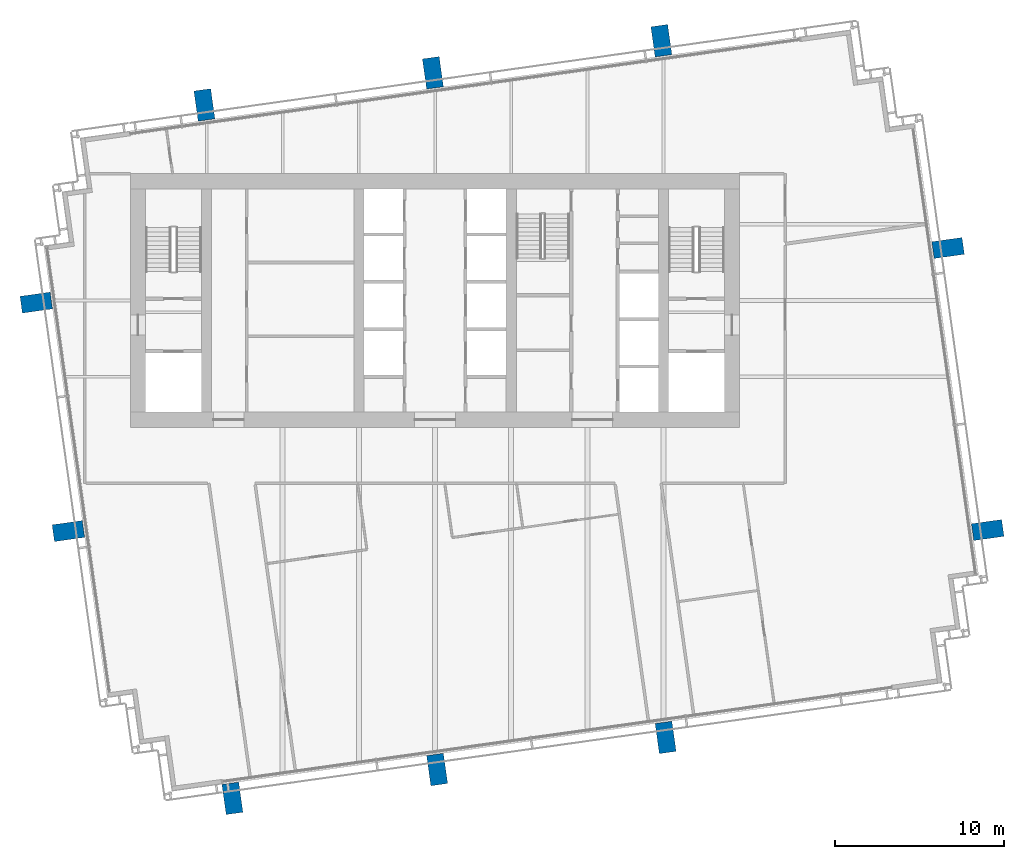
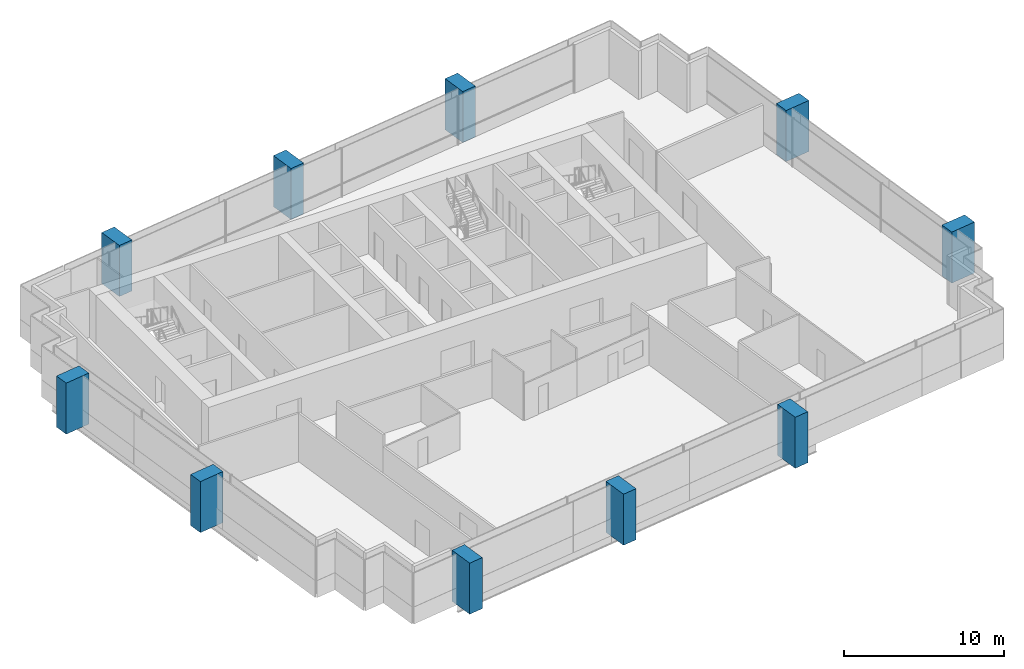
# One storey, part 1 of 17: 10 columns.
"""IFC4 building model written with IfcOpenShell, lengths in metres."""

from ifc_helpers import new_model, si_unit, direction, frame, origin, origin_2d, place, context, subcontext, project, spatial, rectangle, extrude, material, material_profile, profile_set, type_object, element, save


model = new_model("IFC4")

# Units and contexts
model_context = context("Model", 3, precision=1e-05, world=origin(), true_north=direction((0.0, 1.0)))
body_context = subcontext(model_context, "Body", "Model", "MODEL_VIEW")
ifc_project = project(units=[si_unit("LENGTHUNIT", "METRE"), si_unit("AREAUNIT", "SQUARE_METRE"), si_unit("VOLUMEUNIT", "CUBIC_METRE"), si_unit("PLANEANGLEUNIT", "RADIAN"), si_unit("MASSUNIT", "GRAM", prefix="KILO")], contexts=[model_context])

# Site, building, storey
site_placement = place(None, origin())
site = spatial("IfcSite", under=ifc_project, at=site_placement, CompositionType="ELEMENT")
building_placement = place(site_placement, origin())
building = spatial("IfcBuilding", under=site, at=building_placement, Name="Rattan Terrace Tower", CompositionType="ELEMENT")
storey_placement = place(building_placement, frame((0.0, 0.0, 221.300048828125)))
storey = spatial("IfcBuildingStorey", under=building, at=storey_placement, Name="L50", CompositionType="ELEMENT", Elevation=221.300048828125)

# Columns
ifc_material = material(Name="Concrete C40/50", Category="concrete")
ifc_material_profile = material_profile(ifc_material, rectangle(XDim=1.0, YDim=1.800048828125, at=origin_2d()), Name="CFT 1800x1000")
ifc_profile_set = profile_set([ifc_material_profile], Name="Concrete C40/50")
column_type = type_object("IfcColumnType", Name="Frame exoskeleton column CFT 1800x1000", PredefinedType="COLUMN", material=ifc_profile_set)
for number, where, z_axis, x_axis, name in (
    (1, (-11.970947265625, -29.416015625, -0.199951171875), (0.0, 0.0, 1.0), (0.990268068742, 0.13917310096, 0.0), "exo-L50-001"),
    (2, (0.125, -27.716064453125, -0.199951171875), (0.0, 0.0, 1.0), (0.990268068742, 0.13917310096, 0.0), "exo-L50-002"),
    (3, (13.625, -25.818115234375, -0.199951171875), (0.0, 0.0, 1.0), (0.990268068742, 0.13917310096, 0.0), "exo-L50-003"),
    (4, (-21.6630859375, -13.625, -0.199951171875), (0.0, 0.0, 1.0), (-0.139190384377, 0.990265639562, 0.0), "exo-L50-004"),
    (5, (32.657958984375, -13.56494140625, -0.199951171875), (0.0, 0.0, 1.0), (-0.139190384377, 0.990265639562, 0.0), "exo-L50-005"),
    (6, (-23.56103515625, -0.125, -0.199951171875), (0.0, 0.0, 1.0), (-0.139190384377, 0.990265639562, 0.0), "exo-L50-006"),
    (7, (30.31494140625, 3.10009765625, -0.199951171875), (0.0, 0.0, 1.0), (-0.139190384377, 0.990265639562, 0.0), "exo-L50-007"),
    (8, (-13.625, 11.552978515625, -0.199951171875), (0.0, 0.0, 1.0), (0.990268068742, 0.13917310096, 0.0), "exo-L50-008"),
    (9, (-0.125, 13.450927734375, -0.199951171875), (0.0, 0.0, 1.0), (0.990268068742, 0.13917310096, 0.0), "exo-L50-009"),
    (10, (13.375, 15.347900390625, -0.199951171875), (0.0, 0.0, 1.0), (0.990268068742, 0.13917310096, 0.0), "exo-L50-010"),
):
    element("IfcColumn", number, at=place(storey_placement, frame(where, z_axis=z_axis, x_axis=x_axis)), inside=storey, type_object=column_type, Name=name, PredefinedType="COLUMN", context=body_context, shape_type="SweptSolid", body=[
        extrude(rectangle(XDim=1.0, YDim=1.800048828125, at=origin_2d()), origin(), (0.0, 0.0, 1.0), 3.89990234375),
    ])

save(model, "model.ifc")
